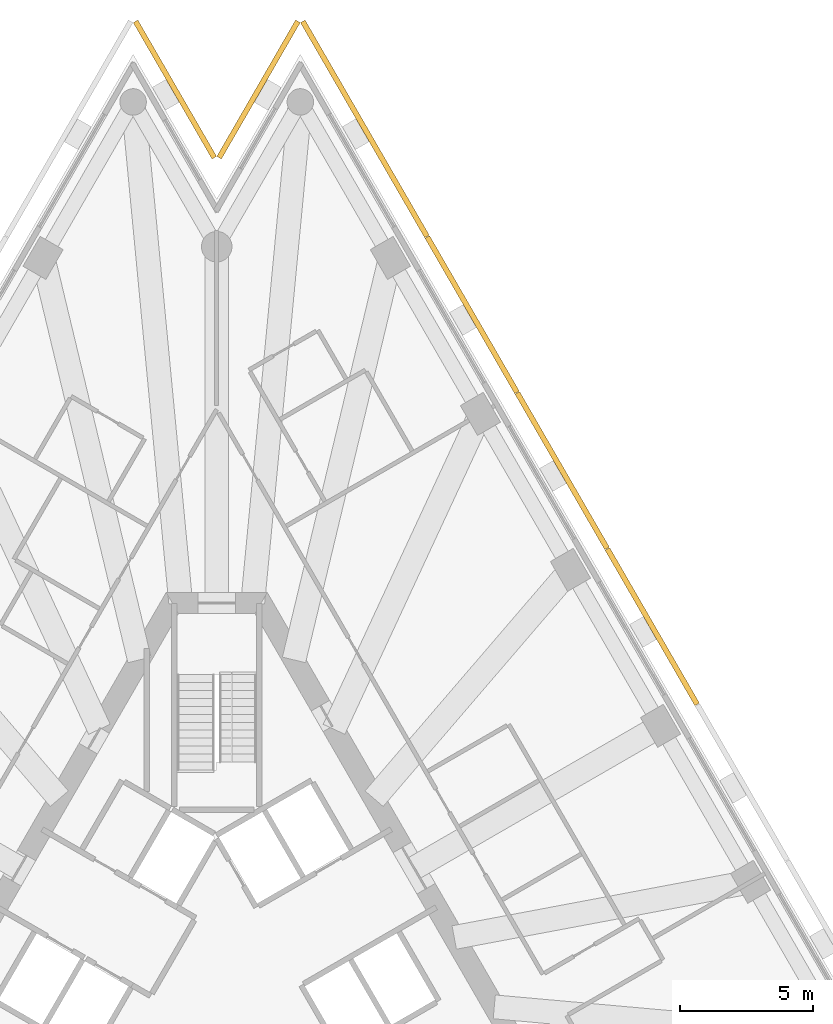
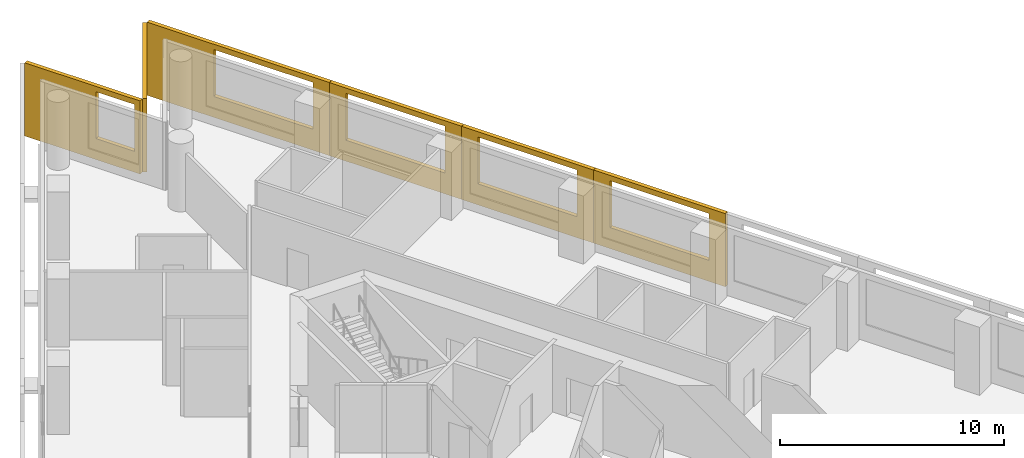
# One storey, part 9 of 9: 6 shading devices.
"""IFC4 building model written with IfcOpenShell, lengths in metres."""

from ifc_helpers import new_model, si_unit, direction, frame, origin, place, context, subcontext, project, spatial, polyline, outline, extrude, material, layer, layer_set, type_object, element, save


model = new_model("IFC4")

# Units and contexts
model_context = context("Model", 3, precision=1e-05, world=origin(), true_north=direction((0.0, 1.0)))
body_context = subcontext(model_context, "Body", "Model", "MODEL_VIEW")
ifc_project = project(units=[si_unit("LENGTHUNIT", "METRE"), si_unit("AREAUNIT", "SQUARE_METRE"), si_unit("VOLUMEUNIT", "CUBIC_METRE"), si_unit("PLANEANGLEUNIT", "RADIAN"), si_unit("MASSUNIT", "GRAM", prefix="KILO")], contexts=[model_context])

# Site, building, storey
site_placement = place(None, origin())
site = spatial("IfcSite", under=ifc_project, at=site_placement, CompositionType="ELEMENT")
building_placement = place(site_placement, origin())
building = spatial("IfcBuilding", under=site, at=building_placement, Name="Triada Interchange Tower", CompositionType="ELEMENT")
storey_placement = place(building_placement, frame((0.0, 0.0, 128.300048828125)))
storey = spatial("IfcBuildingStorey", under=building, at=storey_placement, Name="L29", CompositionType="ELEMENT", Elevation=128.300048828125)

# Shading devices
ifc_material = material(Name="Concrete C50/60 precast", Category="concrete")
ifc_layer_1 = layer(ifc_material, 0.02001953125, Name="Exposed aggregate face")
ifc_layer_2 = layer(ifc_material, 0.179931640625, Name="Precast concrete screen")
ifc_layer_set = layer_set([ifc_layer_1, ifc_layer_2], Name="Outer skin screen panel 3980")
shading_device_type = type_object("IfcShadingDeviceType", Name="Outer skin screen panel 3980", PredefinedType="SHUTTER", material=ifc_layer_set)
shading_device_1_placement = place(storey_placement, frame((18.035888671875, 10.425048828125, -0.2900390625), z_axis=(0.0, 0.0, 1.0), x_axis=(-0.50002716953, 0.866009716881, 0.0)))
element("IfcShadingDevice", 1, at=shading_device_1_placement, inside=storey, type_object=shading_device_type, Name="Outer skin screen panel L29 25", PredefinedType="SHUTTER", context=body_context, shape_type="SweptSolid", body=[
    extrude(outline(polyline([(0.0, 0.0), (6.7734375, 0.0), (6.7734375, 3.97998046875), (0.0, 3.97998046875), (0.0, 0.0)]), holes=[polyline([(0.83740234375, 1.139892578125), (0.83740234375, 3.68994140625), (5.937255859375, 3.68994140625), (5.937255859375, 1.139892578125), (0.83740234375, 1.139892578125)])]), frame((0.0, 0.0, 0.0), z_axis=(0.0, -1.0, 0.0), x_axis=(1.0, 0.0, 0.0)), (0.0, 0.0, 1.0), 0.199951171875),
])
shading_device_2_placement = place(storey_placement, frame((14.638916015625, 16.30810546875, -0.2900390625), z_axis=(0.0, 0.0, 1.0), x_axis=(-0.499964745128, 0.866045757238, 0.0)))
element("IfcShadingDevice", 2, at=shading_device_2_placement, inside=storey, type_object=shading_device_type, Name="Outer skin screen panel L29 26", PredefinedType="SHUTTER", context=body_context, shape_type="SweptSolid", body=[
    extrude(outline(polyline([(0.0, 0.0), (6.7744140625, 0.0), (6.7744140625, 3.97998046875), (0.0, 3.97998046875), (0.0, 0.0)]), holes=[polyline([(0.83740234375, 1.139892578125), (0.83740234375, 3.68994140625), (5.937255859375, 3.68994140625), (5.937255859375, 1.139892578125), (0.83740234375, 1.139892578125)])]), frame((0.0, 0.0, 0.0), z_axis=(0.0, -1.0, 0.0), x_axis=(1.0, 0.0, 0.0)), (0.0, 0.0, 1.0), 0.199951171875),
])
shading_device_3_placement = place(storey_placement, frame((11.241943359375, 22.19189453125, -0.2900390625), z_axis=(0.0, 0.0, 1.0), x_axis=(-0.499949141057, 0.866054765218, 0.0)))
element("IfcShadingDevice", 3, at=shading_device_3_placement, inside=storey, type_object=shading_device_type, Name="Outer skin screen panel L29 27", PredefinedType="SHUTTER", context=body_context, shape_type="SweptSolid", body=[
    extrude(outline(polyline([(0.0, 0.0), (6.774658203125, 0.0), (6.774658203125, 3.97998046875), (0.0, 3.97998046875), (0.0, 0.0)]), holes=[polyline([(0.83740234375, 1.139892578125), (0.83740234375, 3.68994140625), (5.9375, 3.68994140625), (5.9375, 1.139892578125), (0.83740234375, 1.139892578125)])]), frame((0.0, 0.0, 0.0), z_axis=(0.0, -1.0, 0.0), x_axis=(1.0, 0.0, 0.0)), (0.0, 0.0, 1.0), 0.199951171875),
])
shading_device_4_placement = place(storey_placement, frame((7.844970703125, 28.075927734375, -0.2900390625), z_axis=(0.0, 0.0, 1.0), x_axis=(-0.500022371132, 0.86601248742, 0.0)))
element("IfcShadingDevice", 4, at=shading_device_4_placement, inside=storey, type_object=shading_device_type, Name="Outer skin screen panel L29 28", PredefinedType="SHUTTER", context=body_context, shape_type="SweptSolid", body=[
    extrude(outline(polyline([(0.0, 0.0), (9.37158203125, 0.0), (9.37158203125, 3.97998046875), (0.0, 3.97998046875), (0.0, 0.0)]), holes=[polyline([(0.83740234375, 1.139892578125), (0.83740234375, 3.68994140625), (5.9375, 3.68994140625), (5.9375, 1.139892578125), (0.83740234375, 1.139892578125)])]), frame((0.0, 0.0, 0.0), z_axis=(0.0, -1.0, 0.0), x_axis=(1.0, 0.0, 0.0)), (0.0, 0.0, 1.0), 0.199951171875),
])
shading_device_5_placement = place(storey_placement, frame((3.14892578125, 36.19189453125, -0.2900390625), z_axis=(0.0, 0.0, 1.0), x_axis=(-0.50014817463, -0.865939838219, 0.0)))
element("IfcShadingDevice", 5, at=shading_device_5_placement, inside=storey, type_object=shading_device_type, Name="Outer skin screen panel L29 29", PredefinedType="SHUTTER", context=body_context, shape_type="SweptSolid", body=[
    extrude(outline(polyline([(0.0, 0.0), (5.940185546875, 0.0), (5.940185546875, 3.97998046875), (0.0, 3.97998046875), (0.0, 0.0)]), holes=[polyline([(3.175537109375, 1.139892578125), (3.175537109375, 3.68994140625), (5.640869140625, 3.68994140625), (5.640869140625, 1.139892578125), (3.175537109375, 1.139892578125)])]), frame((0.0, 0.0, 0.0), z_axis=(0.0, -1.0, 0.0), x_axis=(1.0, 0.0, 0.0)), (0.0, 0.0, 1.0), 0.199951171875),
])
shading_device_6_placement = place(storey_placement, frame((-0.177978515625, 31.048095703125, -0.2900390625), z_axis=(0.0, 0.0, 1.0), x_axis=(-0.50014817463, 0.865939838219, 0.0)))
element("IfcShadingDevice", 6, at=shading_device_6_placement, inside=storey, type_object=shading_device_type, Name="Outer skin screen panel L29 30", PredefinedType="SHUTTER", context=body_context, shape_type="SweptSolid", body=[
    extrude(outline(polyline([(0.0, 0.0), (5.940185546875, 0.0), (5.940185546875, 3.97998046875), (0.0, 3.97998046875), (0.0, 0.0)]), holes=[polyline([(0.300048828125, 1.139892578125), (0.300048828125, 3.68994140625), (2.258056640625, 3.68994140625), (2.258056640625, 1.139892578125), (0.300048828125, 1.139892578125)])]), frame((0.0, 0.0, 0.0), z_axis=(0.0, -1.0, 0.0), x_axis=(1.0, 0.0, 0.0)), (0.0, 0.0, 1.0), 0.199951171875),
])

save(model, "model.ifc")
